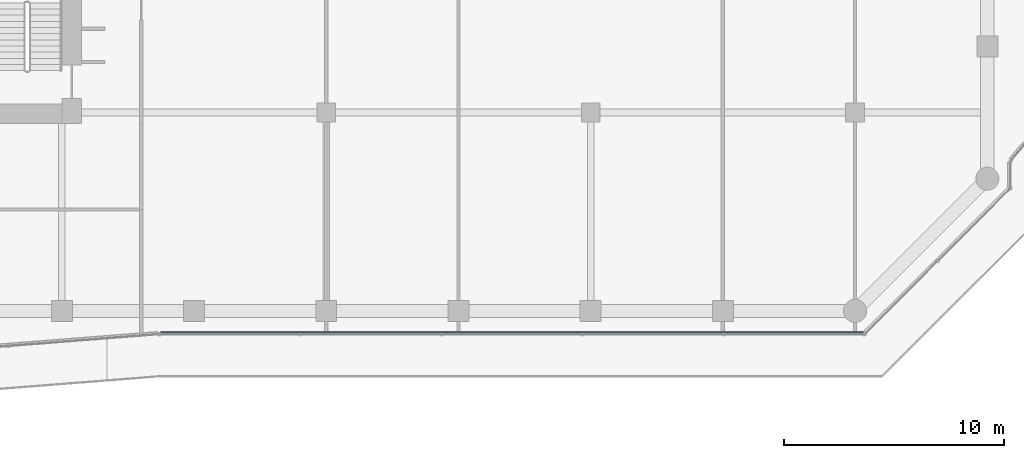
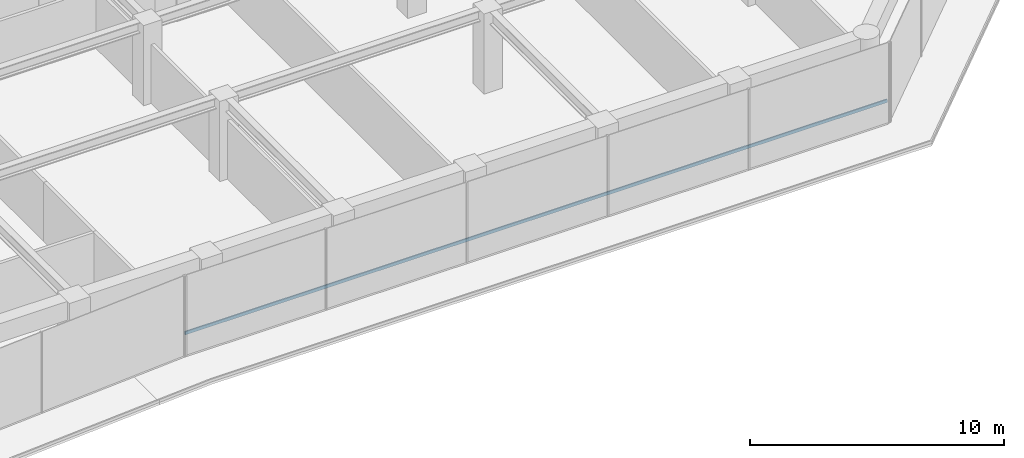
# One storey, part 7 of 28: 1 member, 1 element without a shape of its own.
"""IFC4 building model written with IfcOpenShell, lengths in metres."""

from ifc_helpers import new_model, si_unit, direction, frame, origin, origin_2d, place, context, subcontext, project, spatial, rectangle, extrude, material, layer, layer_set, material_profile, profile_set, type_object, element, aggregate, save


model = new_model("IFC4")

# Units and contexts
model_context = context("Model", 3, precision=1e-05, world=origin(), true_north=direction((0.0, 1.0)))
body_context = subcontext(model_context, "Body", "Model", "MODEL_VIEW")
ifc_project = project(units=[si_unit("LENGTHUNIT", "METRE"), si_unit("AREAUNIT", "SQUARE_METRE"), si_unit("VOLUMEUNIT", "CUBIC_METRE"), si_unit("PLANEANGLEUNIT", "RADIAN"), si_unit("MASSUNIT", "GRAM", prefix="KILO")], contexts=[model_context])

# Site, building, storey
site_placement = place(None, origin())
site = spatial("IfcSite", under=ifc_project, at=site_placement, CompositionType="ELEMENT")
building_placement = place(site_placement, origin())
building = spatial("IfcBuilding", under=site, at=building_placement, Name="Welwitschia Terrace Campus", CompositionType="ELEMENT")
storey_placement = place(building_placement, frame((0.0, 0.0, 71.0)))
storey = spatial("IfcBuildingStorey", under=building, at=storey_placement, Name="L16", CompositionType="ELEMENT", Elevation=71.0)

# Curtain wall, member
ifc_material_1 = material(Name="Bronze anodised aluminium", Category="aluminium")
ifc_layer = layer(ifc_material_1, 0.1201171875)
ifc_layer_set = layer_set([ifc_layer], Name="Bronze anodised aluminium")
curtain_wall_type = type_object("IfcCurtainWallType", Name="Curtain wall CW2 tower 6000", PredefinedType="NOTDEFINED", material=ifc_layer_set)
curtain_wall_placement = place(storey_placement, origin())
curtain_wall = element("IfcCurtainWall", 1, at=curtain_wall_placement, inside=storey, type_object=curtain_wall_type, Name="CW L16.5.0", PredefinedType="NOTDEFINED")
ifc_material_2 = material(Name="Bronze anodised aluminium", Category="aluminium")
ifc_material_profile = material_profile(ifc_material_2, rectangle(XDim=0.06005859375, YDim=0.14990234375, at=origin_2d()))
ifc_profile_set = profile_set([ifc_material_profile], Name="Bronze anodised aluminium")
member_type = type_object("IfcMemberType", Name="Transom 60x150", PredefinedType="USERDEFINED", material=ifc_profile_set)
member_placement = place(storey_placement, frame((28.4814453125, -4.968017578125, 1.0), z_axis=(1.0, 0.0, 0.0), x_axis=(0.0, 1.0, 0.0)))
member = element("IfcMember", 2, at=member_placement, type_object=member_type, Name="Transom L16.5.0", ObjectType="TRANSOM", PredefinedType="USERDEFINED", context=body_context, shape_type="SweptSolid", body=[
    extrude(rectangle(XDim=0.06005859375, YDim=0.14990234375, at=origin_2d()), origin(), (0.0, 0.0, 1.0), 31.896728515625),
])
aggregate(curtain_wall, [member])

save(model, "model.ifc")
